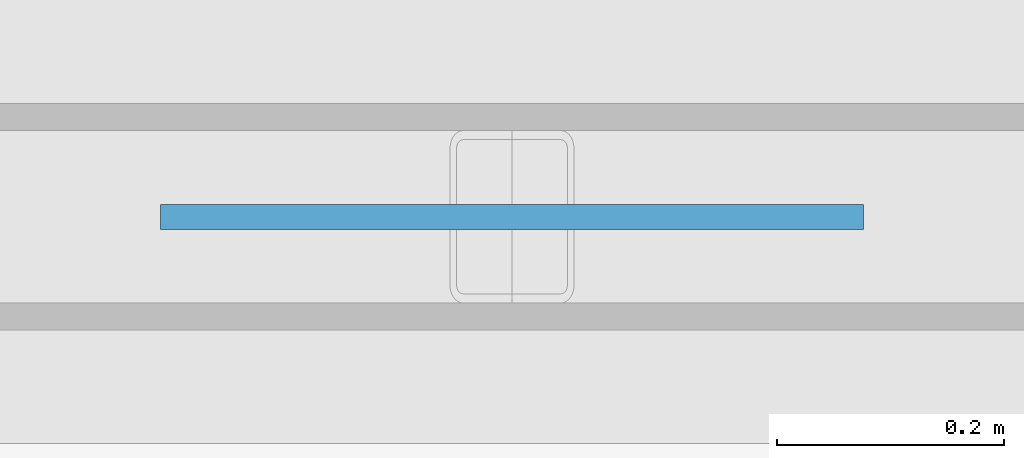
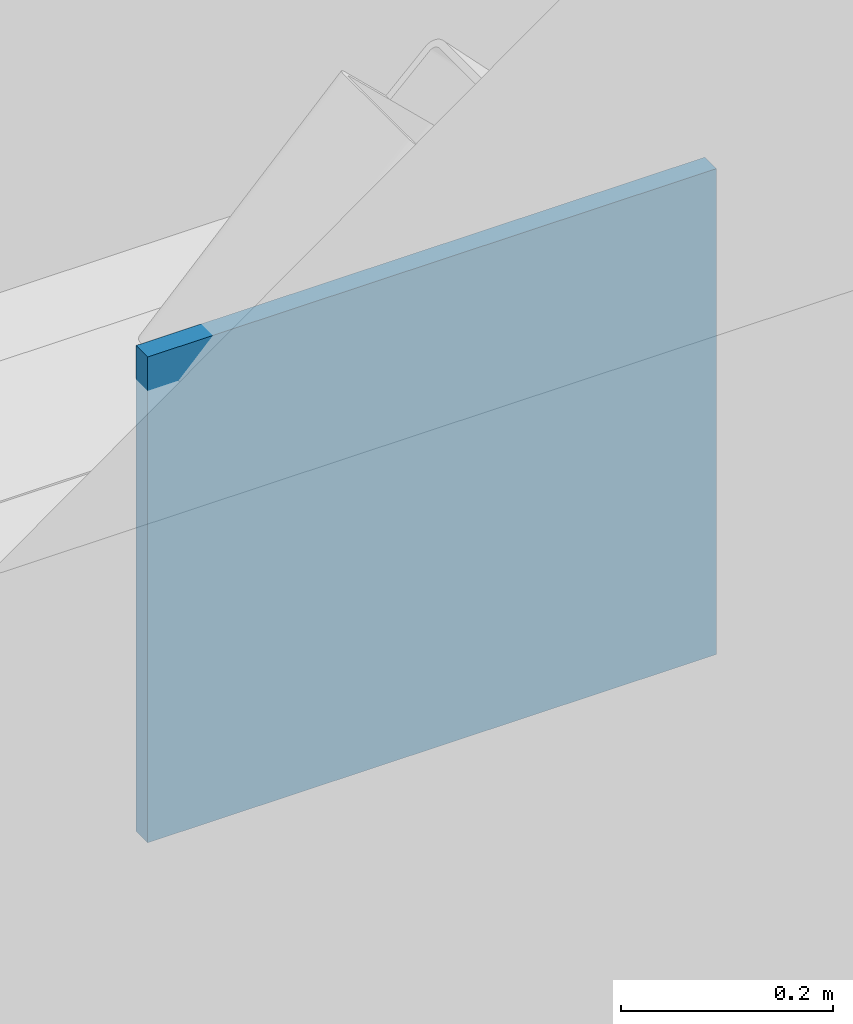
# One storey, part 59 of 99: 1 plate.
"""IFC4 building model written with IfcOpenShell, lengths in metres."""

from ifc_helpers import new_model, si_unit, direction, frame, origin, origin_2d, place, context, subcontext, project, spatial, rectangle, extrude, material, layer, layer_set, type_object, element, save


model = new_model("IFC4")

# Units and contexts
model_context = context("Model", 3, precision=1e-05, world=origin(), true_north=direction((0.0, 1.0)))
body_context = subcontext(model_context, "Body", "Model", "MODEL_VIEW")
ifc_project = project(units=[si_unit("LENGTHUNIT", "METRE"), si_unit("AREAUNIT", "SQUARE_METRE"), si_unit("VOLUMEUNIT", "CUBIC_METRE"), si_unit("PLANEANGLEUNIT", "RADIAN"), si_unit("MASSUNIT", "GRAM", prefix="KILO")], contexts=[model_context])

# Site, building, storey
site_placement = place(None, origin())
site = spatial("IfcSite", under=ifc_project, at=site_placement, CompositionType="ELEMENT")
building_placement = place(site_placement, origin())
building = spatial("IfcBuilding", under=site, at=building_placement, Name="Vaudrelin Polytechnic", CompositionType="ELEMENT")
storey_placement = place(building_placement, origin())
storey = spatial("IfcBuildingStorey", under=building, at=storey_placement, Name="L00", CompositionType="ELEMENT", Elevation=0.0)

# Plate
ifc_material = material(Name="Steel CSA G40.21 350WT", Category="steel")
ifc_layer = layer(ifc_material, 0.02197265625)
ifc_layer_set = layer_set([ifc_layer], Name="Steel CSA G40.21 350WT")
plate_type = type_object("IfcPlateType", Name="PLT-GP-11", PredefinedType="USERDEFINED", material=ifc_layer_set)
plate_placement = place(storey_placement, frame((166.050048828125, 40.5, 3.64990234375), z_axis=(0.0, 0.0, 1.0), x_axis=(1.0, 0.0, 0.0)))
element("IfcPlate", 1, at=plate_placement, inside=storey, type_object=plate_type, Name="Braced-frame apex gusset plate GP-BF10", ObjectType="GUSSET PLATE", PredefinedType="USERDEFINED", context=body_context, shape_type="SweptSolid", body=[
    extrude(rectangle(XDim=0.6201171875, YDim=0.02197265625, at=origin_2d()), origin(), (0.0, 0.0, 1.0), 0.56005859375),
])

save(model, "model.ifc")
